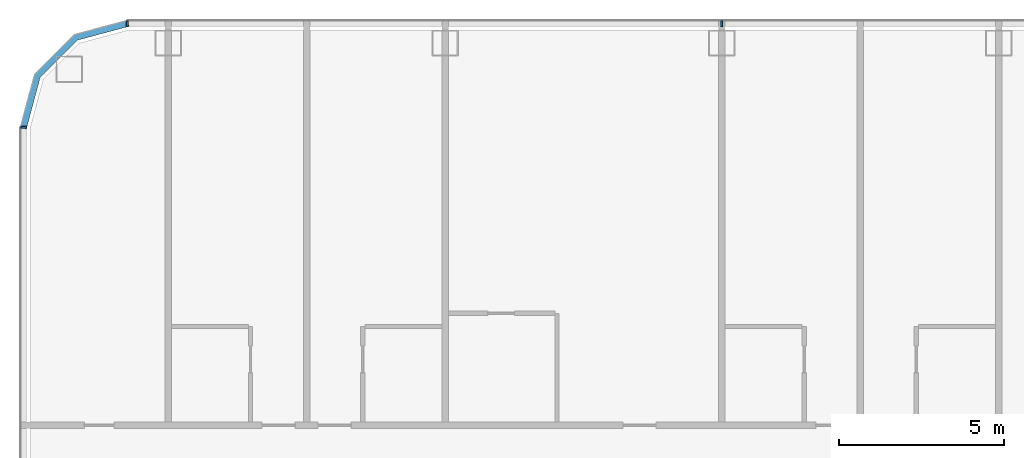
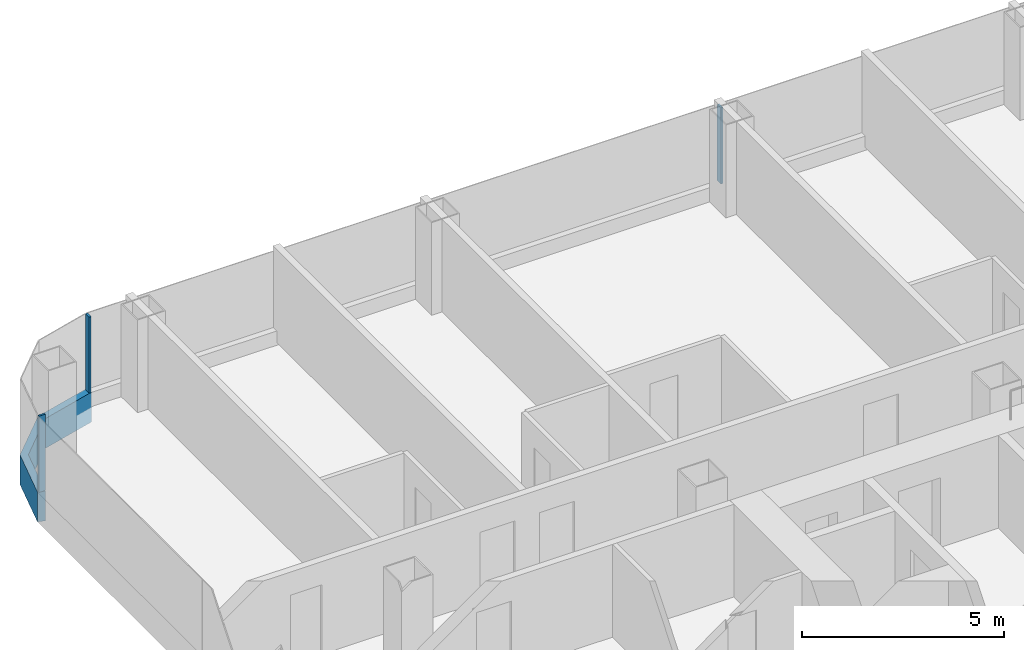
# One storey, part 7 of 29: 4 members, 3 elements without a shape of their own.
"""IFC4 building model written with IfcOpenShell, lengths in metres."""

from ifc_helpers import new_model, si_unit, direction, frame, origin, origin_2d, place, context, subcontext, project, spatial, polyline, rectangle, outline, extrude, material, layer, layer_set, material_profile, profile_set, type_object, element, aggregate, save


model = new_model("IFC4")

# Units and contexts
model_context = context("Model", 3, precision=1e-05, world=origin(), true_north=direction((0.0, 1.0)))
body_context = subcontext(model_context, "Body", "Model", "MODEL_VIEW")
ifc_project = project(units=[si_unit("LENGTHUNIT", "METRE"), si_unit("AREAUNIT", "SQUARE_METRE"), si_unit("VOLUMEUNIT", "CUBIC_METRE"), si_unit("PLANEANGLEUNIT", "RADIAN"), si_unit("MASSUNIT", "GRAM", prefix="KILO")], contexts=[model_context])

# Site, building, storey
site_placement = place(None, origin())
site = spatial("IfcSite", under=ifc_project, at=site_placement, CompositionType="ELEMENT")
building_placement = place(site_placement, origin())
building = spatial("IfcBuilding", under=site, at=building_placement, Name="Hakoniwa Tower and Hamabe Station Hall", CompositionType="ELEMENT")
storey_placement = place(building_placement, frame((0.0, 0.0, 113.800048828125)))
storey = spatial("IfcBuildingStorey", under=building, at=storey_placement, Name="L32", CompositionType="ELEMENT", Elevation=113.800048828125)

# Curtain wall, member
ifc_material_1 = material(Name="Dark low-e laminated glass", Category="glass")
ifc_layer = layer(ifc_material_1, 0.199951171875)
ifc_layer_set = layer_set([ifc_layer], Name="CW-1 UNITISED GUEST")
curtain_wall_type = type_object("IfcCurtainWallType", Name="CW-1 UNITISED GUEST", PredefinedType="NOTDEFINED", material=ifc_layer_set)
curtain_wall_1_placement = place(storey_placement, origin())
curtain_wall_1 = element("IfcCurtainWall", 1, at=curtain_wall_1_placement, inside=storey, type_object=curtain_wall_type, Name="CW-1 curtain wall", PredefinedType="NOTDEFINED")
ifc_material_2 = material(Name="Aluminium 6063-T5 black anodised", Category="aluminium")
ifc_material_profile_1 = material_profile(ifc_material_2, rectangle(XDim=0.199951171875, YDim=0.89990234375, at=origin_2d()), Name="CW SLAB-EDGE BAND 900X200")
ifc_profile_set_1 = profile_set([ifc_material_profile_1], Name="Aluminium 6063-T5 black anodised")
member_type_1 = type_object("IfcMemberType", Name="CW SLAB-EDGE BAND 900X200", PredefinedType="USERDEFINED", material=ifc_profile_set_1)
member_1_placement = place(storey_placement, frame((0.0, 0.0, -0.550048828125)))
member_1 = element("IfcMember", 2, at=member_1_placement, type_object=member_type_1, Name="CW-1 transom", ObjectType="TRANSOM", PredefinedType="USERDEFINED", context=body_context, shape_type="SweptSolid", body=[
    extrude(outline(polyline([(-43.239501953125, 23.550048828125), (-44.855224609375, 23.116943359375), (-46.067138671875, 21.9052734375), (-46.5, 20.28955078125), (-46.306884765625, 20.23779296875), (-45.8876953125, 21.8017578125), (-44.751708984375, 22.937744140625), (-43.187744140625, 23.35693359375), (-43.239501953125, 23.550048828125)])), origin(), (0.0, 0.0, 1.0), 0.89990234375),
])
aggregate(curtain_wall_1, [member_1])

# Curtain wall, members
curtain_wall_2_placement = place(storey_placement, origin())
curtain_wall_2 = element("IfcCurtainWall", 3, at=curtain_wall_2_placement, inside=storey, type_object=curtain_wall_type, Name="CW-1 curtain wall", PredefinedType="NOTDEFINED")
ifc_material_3 = material(Name="Aluminium 6063-T5 black anodised", Category="aluminium")
ifc_material_profile_2 = material_profile(ifc_material_3, rectangle(XDim=0.06005859375, YDim=0.179931640625, at=origin_2d()), Name="CW-1 MULLION 60X180")
ifc_profile_set_2 = profile_set([ifc_material_profile_2], Name="Aluminium 6063-T5 black anodised")
member_type_2 = type_object("IfcMemberType", Name="CW-1 MULLION 60X180", PredefinedType="MULLION", material=ifc_profile_set_2)
member_2_placement = place(storey_placement, frame((-25.199951171875, 23.431884765625, 0.349853515625), z_axis=(0.0, 0.0, 1.0), x_axis=(-1.0, 0.0, 0.0)))
member_2 = element("IfcMember", 4, at=member_2_placement, type_object=member_type_2, Name="CW-1 mullion", PredefinedType="MULLION", context=body_context, shape_type="SweptSolid", body=[
    extrude(rectangle(XDim=0.06005859375, YDim=0.179931640625, at=origin_2d()), origin(), (0.0, 0.0, 1.0), 2.300048828125),
])
member_3_placement = place(storey_placement, frame((-43.239501953125, 23.431884765625, 0.349853515625), z_axis=(0.0, 0.0, 1.0), x_axis=(-1.0, 0.0, 0.0)))
member_3 = element("IfcMember", 5, at=member_3_placement, type_object=member_type_2, Name="CW-1 mullion", PredefinedType="MULLION", context=body_context, shape_type="SweptSolid", body=[
    extrude(rectangle(XDim=0.06005859375, YDim=0.179931640625, at=origin_2d()), origin(), (0.0, 0.0, 1.0), 2.300048828125),
])
aggregate(curtain_wall_2, [member_2, member_3])

# Curtain wall, member
curtain_wall_3_placement = place(storey_placement, origin())
curtain_wall_3 = element("IfcCurtainWall", 6, at=curtain_wall_3_placement, inside=storey, type_object=curtain_wall_type, Name="CW-1 curtain wall", PredefinedType="NOTDEFINED")
member_4_placement = place(storey_placement, frame((-46.382080078125, 20.28955078125, 0.349853515625), z_axis=(0.0, 0.0, 1.0), x_axis=(0.0, -1.0, 0.0)))
member_4 = element("IfcMember", 7, at=member_4_placement, type_object=member_type_2, Name="CW-1 mullion", PredefinedType="MULLION", context=body_context, shape_type="SweptSolid", body=[
    extrude(rectangle(XDim=0.06005859375, YDim=0.179931640625, at=origin_2d()), origin(), (0.0, 0.0, 1.0), 2.300048828125),
])
aggregate(curtain_wall_3, [member_4])

save(model, "model.ifc")
